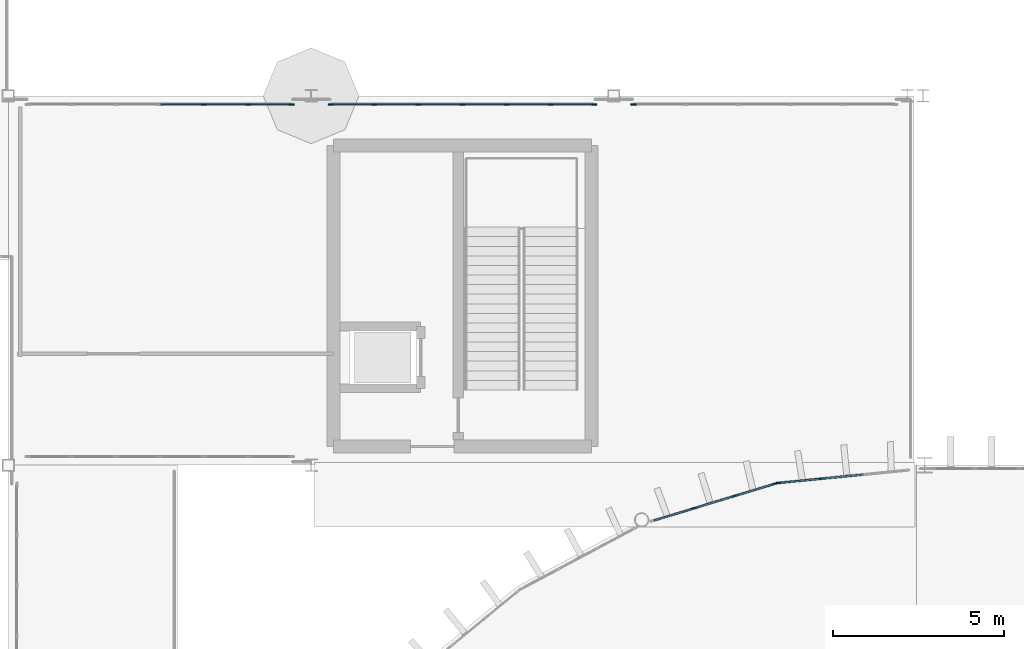
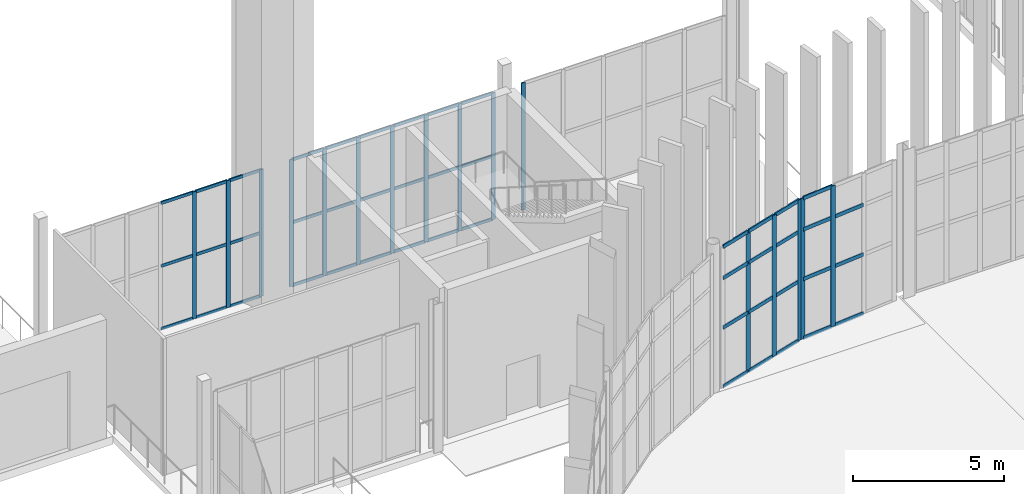
# One storey, part 46 of 139: 62 members, 5 elements without a shape of their own.
"""IFC4 building model written with IfcOpenShell, lengths in metres."""

from ifc_helpers import new_model, si_unit, direction, frame, origin, origin_2d, place, context, subcontext, project, spatial, rectangle, extrude, material, layer, layer_set, material_profile, profile_set, type_object, element, aggregate, save


model = new_model("IFC4")

# Units and contexts
model_context = context("Model", 3, precision=1e-05, world=origin(), true_north=direction((0.0, 1.0)))
body_context = subcontext(model_context, "Body", "Model", "MODEL_VIEW")
ifc_project = project(units=[si_unit("LENGTHUNIT", "METRE"), si_unit("AREAUNIT", "SQUARE_METRE"), si_unit("VOLUMEUNIT", "CUBIC_METRE"), si_unit("PLANEANGLEUNIT", "RADIAN"), si_unit("MASSUNIT", "GRAM", prefix="KILO")], contexts=[model_context])

# Site, building, storey
site_placement = place(None, origin())
site = spatial("IfcSite", under=ifc_project, at=site_placement, CompositionType="ELEMENT")
building_placement = place(site_placement, origin())
building = spatial("IfcBuilding", under=site, at=building_placement, Name="Yeouljin Market Hall", CompositionType="ELEMENT")
storey_placement = place(building_placement, origin())
storey = spatial("IfcBuildingStorey", under=building, at=storey_placement, Name="L00", CompositionType="ELEMENT", Elevation=0.0)

# Curtain wall, members
ifc_material_1 = material(Name="Thermally Broken Aluminium", Category="aluminium")
ifc_layer_1 = layer(ifc_material_1, 0.14990234375)
ifc_layer_set_1 = layer_set([ifc_layer_1], Name="Thermally Broken Aluminium")
curtain_wall_type_1 = type_object("IfcCurtainWallType", Name="CW_WingStorefront_System", PredefinedType="USERDEFINED", material=ifc_layer_set_1)
curtain_wall_1_placement = place(storey_placement, origin())
curtain_wall_1 = element("IfcCurtainWall", 1, at=curtain_wall_1_placement, inside=storey, type_object=curtain_wall_type_1, Name="Curtain wall CW-CRT-L00-01", ObjectType="CURTAIN WALL", PredefinedType="USERDEFINED")
ifc_material_2 = material(Name="Thermally Broken Aluminium", Category="aluminium")
ifc_material_profile_1 = material_profile(ifc_material_2, rectangle(XDim=0.048095703125, YDim=0.14990234375, at=origin_2d()), Name="CW-MULL-48x150")
ifc_profile_set_1 = profile_set([ifc_material_profile_1], Name="Thermally Broken Aluminium")
member_type_1 = type_object("IfcMemberType", Name="CWMullion_48x150", PredefinedType="MULLION", material=ifc_profile_set_1)
member_1_placement = place(storey_placement, frame((14.566650390625, 88.550048828125, 0.0), z_axis=(0.0, 0.0, 1.0), x_axis=(0.0, 1.0, 0.0)))
member_1 = element("IfcMember", 2, at=member_1_placement, type_object=member_type_1, Name="CW-04 mullion 5", PredefinedType="MULLION", context=body_context, shape_type="SweptSolid", body=[
    extrude(rectangle(XDim=0.048095703125, YDim=0.14990234375, at=origin_2d()), origin(), (0.0, 0.0, 1.0), 5.1201171875),
])
member_2_placement = place(storey_placement, frame((15.8583984375, 88.550048828125, 0.0), z_axis=(0.0, 0.0, 1.0), x_axis=(0.0, 1.0, 0.0)))
member_2 = element("IfcMember", 3, at=member_2_placement, type_object=member_type_1, Name="CW-04 mullion 6", PredefinedType="MULLION", context=body_context, shape_type="SweptSolid", body=[
    extrude(rectangle(XDim=0.048095703125, YDim=0.14990234375, at=origin_2d()), origin(), (0.0, 0.0, 1.0), 5.1201171875),
])
member_3_placement = place(storey_placement, frame((17.1259765625, 88.550048828125, 0.0), z_axis=(0.0, 0.0, 1.0), x_axis=(0.0, 1.0, 0.0)))
member_3 = element("IfcMember", 4, at=member_3_placement, type_object=member_type_1, Name="CW-04 mullion 7", PredefinedType="MULLION", context=body_context, shape_type="SweptSolid", body=[
    extrude(rectangle(XDim=0.048095703125, YDim=0.14990234375, at=origin_2d()), origin(), (0.0, 0.0, 1.0), 5.1201171875),
])

curtain_wall_2_placement = place(storey_placement, origin())
curtain_wall_2 = element("IfcCurtainWall", 5, at=curtain_wall_2_placement, inside=storey, type_object=curtain_wall_type_1, Name="Curtain wall CW-CRT-L00-02", ObjectType="CURTAIN WALL", PredefinedType="USERDEFINED")
member_4_placement = place(storey_placement, frame((18.27392578125, 88.550048828125, 0.0), z_axis=(0.0, 0.0, 1.0), x_axis=(0.0, 1.0, 0.0)))
member_4 = element("IfcMember", 6, at=member_4_placement, type_object=member_type_1, Name="CW-04 mullion 1", PredefinedType="MULLION", context=body_context, shape_type="SweptSolid", body=[
    extrude(rectangle(XDim=0.048095703125, YDim=0.14990234375, at=origin_2d()), origin(), (0.0, 0.0, 1.0), 5.1201171875),
])
member_5_placement = place(storey_placement, frame((19.541748046875, 88.550048828125, 0.0), z_axis=(0.0, 0.0, 1.0), x_axis=(0.0, 1.0, 0.0)))
member_5 = element("IfcMember", 7, at=member_5_placement, type_object=member_type_1, Name="CW-04 mullion 2", PredefinedType="MULLION", context=body_context, shape_type="SweptSolid", body=[
    extrude(rectangle(XDim=0.048095703125, YDim=0.14990234375, at=origin_2d()), origin(), (0.0, 0.0, 1.0), 5.1201171875),
])
member_6_placement = place(storey_placement, frame((20.833251953125, 88.550048828125, 0.0), z_axis=(0.0, 0.0, 1.0), x_axis=(0.0, 1.0, 0.0)))
member_6 = element("IfcMember", 8, at=member_6_placement, type_object=member_type_1, Name="CW-04 mullion 3", PredefinedType="MULLION", context=body_context, shape_type="SweptSolid", body=[
    extrude(rectangle(XDim=0.048095703125, YDim=0.14990234375, at=origin_2d()), origin(), (0.0, 0.0, 1.0), 5.1201171875),
])
member_7_placement = place(storey_placement, frame((22.125, 88.550048828125, 0.0), z_axis=(0.0, 0.0, 1.0), x_axis=(0.0, 1.0, 0.0)))
member_7 = element("IfcMember", 9, at=member_7_placement, type_object=member_type_1, Name="CW-04 mullion 4", PredefinedType="MULLION", context=body_context, shape_type="SweptSolid", body=[
    extrude(rectangle(XDim=0.048095703125, YDim=0.14990234375, at=origin_2d()), origin(), (0.0, 0.0, 1.0), 5.1201171875),
])
member_8_placement = place(storey_placement, frame((23.416748046875, 88.550048828125, 0.0), z_axis=(0.0, 0.0, 1.0), x_axis=(0.0, 1.0, 0.0)))
member_8 = element("IfcMember", 10, at=member_8_placement, type_object=member_type_1, Name="CW-04 mullion 5", PredefinedType="MULLION", context=body_context, shape_type="SweptSolid", body=[
    extrude(rectangle(XDim=0.048095703125, YDim=0.14990234375, at=origin_2d()), origin(), (0.0, 0.0, 1.0), 5.1201171875),
])
member_9_placement = place(storey_placement, frame((24.708251953125, 88.550048828125, 0.0), z_axis=(0.0, 0.0, 1.0), x_axis=(0.0, 1.0, 0.0)))
member_9 = element("IfcMember", 11, at=member_9_placement, type_object=member_type_1, Name="CW-04 mullion 6", PredefinedType="MULLION", context=body_context, shape_type="SweptSolid", body=[
    extrude(rectangle(XDim=0.048095703125, YDim=0.14990234375, at=origin_2d()), origin(), (0.0, 0.0, 1.0), 5.1201171875),
])
member_10_placement = place(storey_placement, frame((25.97607421875, 88.550048828125, 0.0), z_axis=(0.0, 0.0, 1.0), x_axis=(0.0, 1.0, 0.0)))
member_10 = element("IfcMember", 12, at=member_10_placement, type_object=member_type_1, Name="CW-04 mullion 7", PredefinedType="MULLION", context=body_context, shape_type="SweptSolid", body=[
    extrude(rectangle(XDim=0.048095703125, YDim=0.14990234375, at=origin_2d()), origin(), (0.0, 0.0, 1.0), 5.1201171875),
])

# Curtain wall, member
curtain_wall_3_placement = place(storey_placement, origin())
curtain_wall_3 = element("IfcCurtainWall", 13, at=curtain_wall_3_placement, inside=storey, type_object=curtain_wall_type_1, Name="Curtain wall CW-CRT-L00-03", ObjectType="CURTAIN WALL", PredefinedType="USERDEFINED")
member_11_placement = place(storey_placement, frame((27.1240234375, 88.550048828125, 0.0), z_axis=(0.0, 0.0, 1.0), x_axis=(0.0, 1.0, 0.0)))
member_11 = element("IfcMember", 14, at=member_11_placement, type_object=member_type_1, Name="CW-04 mullion 1", PredefinedType="MULLION", context=body_context, shape_type="SweptSolid", body=[
    extrude(rectangle(XDim=0.048095703125, YDim=0.14990234375, at=origin_2d()), origin(), (0.0, 0.0, 1.0), 5.1201171875),
])
aggregate(curtain_wall_3, [member_11])

# Curtain wall, members
ifc_material_3 = material(Name="Thermally Broken Aluminium", Category="aluminium")
ifc_layer_2 = layer(ifc_material_3, 0.179931640625)
ifc_layer_set_2 = layer_set([ifc_layer_2], Name="Thermally Broken Aluminium")
curtain_wall_type_2 = type_object("IfcCurtainWallType", Name="CW_ApseCurved_System", PredefinedType="USERDEFINED", material=ifc_layer_set_2)
curtain_wall_4_placement = place(storey_placement, origin())
curtain_wall_4 = element("IfcCurtainWall", 15, at=curtain_wall_4_placement, inside=storey, type_object=curtain_wall_type_2, Name="Curtain wall CW-AP-WL00-15", ObjectType="CURTAIN WALL", PredefinedType="USERDEFINED")
ifc_material_4 = material(Name="Thermally Broken Aluminium", Category="aluminium")
ifc_material_profile_2 = material_profile(ifc_material_4, rectangle(XDim=0.048095703125, YDim=0.179931640625, at=origin_2d()), Name="CW-MULL-48x180")
ifc_profile_set_2 = profile_set([ifc_material_profile_2], Name="Thermally Broken Aluminium")
member_type_2 = type_object("IfcMemberType", Name="CWMullion_48x180", PredefinedType="MULLION", material=ifc_profile_set_2)
member_12_placement = place(storey_placement, frame((28.881103515625, 76.737060546875, 0.0), z_axis=(0.0, 0.0, 1.0), x_axis=(-0.290286164863, 0.95693988447, 0.0)))
member_12 = element("IfcMember", 16, at=member_12_placement, type_object=member_type_2, Name="CW-03 mullion 2", PredefinedType="MULLION", context=body_context, shape_type="SweptSolid", body=[
    extrude(rectangle(XDim=0.048095703125, YDim=0.179931640625, at=origin_2d()), origin(), (0.0, 0.0, 1.0), 5.679931640625),
])
member_13_placement = place(storey_placement, frame((30.084716796875, 77.10205078125, 0.0), z_axis=(0.0, 0.0, 1.0), x_axis=(-0.290286164863, 0.95693988447, 0.0)))
member_13 = element("IfcMember", 17, at=member_13_placement, type_object=member_type_2, Name="CW-03 mullion 3", PredefinedType="MULLION", context=body_context, shape_type="SweptSolid", body=[
    extrude(rectangle(XDim=0.048095703125, YDim=0.179931640625, at=origin_2d()), origin(), (0.0, 0.0, 1.0), 5.679931640625),
])
member_14_placement = place(storey_placement, frame((31.26513671875, 77.460205078125, 0.0), z_axis=(0.0, 0.0, 1.0), x_axis=(-0.290286164863, 0.95693988447, 0.0)))
member_14 = element("IfcMember", 18, at=member_14_placement, type_object=member_type_2, Name="CW-03 mullion 4", PredefinedType="MULLION", context=body_context, shape_type="SweptSolid", body=[
    extrude(rectangle(XDim=0.048095703125, YDim=0.179931640625, at=origin_2d()), origin(), (0.0, 0.0, 1.0), 5.679931640625),
])

curtain_wall_5_placement = place(storey_placement, origin())
curtain_wall_5 = element("IfcCurtainWall", 19, at=curtain_wall_5_placement, inside=storey, type_object=curtain_wall_type_2, Name="Curtain wall CW-AP-WL00-16", ObjectType="CURTAIN WALL", PredefinedType="USERDEFINED")
member_15_placement = place(storey_placement, frame((31.39013671875, 77.485107421875, 0.0), z_axis=(0.0, 0.0, 1.0), x_axis=(-0.09803414403, 0.995183051807, 0.0)))
member_15 = element("IfcMember", 20, at=member_15_placement, type_object=member_type_2, Name="CW-03 mullion 1", PredefinedType="MULLION", context=body_context, shape_type="SweptSolid", body=[
    extrude(rectangle(XDim=0.048095703125, YDim=0.179931640625, at=origin_2d()), origin(), (0.0, 0.0, 1.0), 5.679931640625),
])
member_16_placement = place(storey_placement, frame((32.617919921875, 77.60595703125, 0.0), z_axis=(0.0, 0.0, 1.0), x_axis=(-0.09803414403, 0.995183051807, 0.0)))
member_16 = element("IfcMember", 21, at=member_16_placement, type_object=member_type_2, Name="CW-03 mullion 2", PredefinedType="MULLION", context=body_context, shape_type="SweptSolid", body=[
    extrude(rectangle(XDim=0.048095703125, YDim=0.179931640625, at=origin_2d()), origin(), (0.0, 0.0, 1.0), 5.679931640625),
])

# Member
ifc_material_5 = material(Name="Thermally Broken Aluminium", Category="aluminium")
ifc_material_profile_3 = material_profile(ifc_material_5, rectangle(XDim=0.048095703125, YDim=0.1201171875, at=origin_2d()), Name="CW-TRAN-48x120")
ifc_profile_set_3 = profile_set([ifc_material_profile_3], Name="Thermally Broken Aluminium")
member_type_3 = type_object("IfcMemberType", Name="CWTransom_48x120", PredefinedType="USERDEFINED", material=ifc_profile_set_3)
member_17_placement = place(storey_placement, frame((13.299072265625, 88.550048828125, 0.02392578125), z_axis=(1.0, 0.0, 0.0), x_axis=(0.0, 1.0, 0.0)))
member_17 = element("IfcMember", 22, at=member_17_placement, type_object=member_type_3, Name="CW-04 transom 4.1", ObjectType="TRANSOM", PredefinedType="USERDEFINED", context=body_context, shape_type="SweptSolid", body=[
    extrude(rectangle(XDim=0.048095703125, YDim=0.1201171875, at=origin_2d()), origin(), (0.0, 0.0, 1.0), 1.24365234375),
])

member_18_placement = place(storey_placement, frame((13.299072265625, 88.550048828125, 2.56005859375), z_axis=(1.0, 0.0, 0.0), x_axis=(0.0, 1.0, 0.0)))
member_18 = element("IfcMember", 23, at=member_18_placement, type_object=member_type_3, Name="CW-04 transom 4.2", ObjectType="TRANSOM", PredefinedType="USERDEFINED", context=body_context, shape_type="SweptSolid", body=[
    extrude(rectangle(XDim=0.048095703125, YDim=0.1201171875, at=origin_2d()), origin(), (0.0, 0.0, 1.0), 1.24365234375),
])

member_19_placement = place(storey_placement, frame((13.299072265625, 88.550048828125, 5.095947265625), z_axis=(1.0, 0.0, 0.0), x_axis=(0.0, 1.0, 0.0)))
member_19 = element("IfcMember", 24, at=member_19_placement, type_object=member_type_3, Name="CW-04 transom 4.3", ObjectType="TRANSOM", PredefinedType="USERDEFINED", context=body_context, shape_type="SweptSolid", body=[
    extrude(rectangle(XDim=0.048095703125, YDim=0.1201171875, at=origin_2d()), origin(), (0.0, 0.0, 1.0), 1.24365234375),
])

member_20_placement = place(storey_placement, frame((14.590576171875, 88.550048828125, 0.02392578125), z_axis=(1.0, 0.0, 0.0), x_axis=(0.0, 1.0, 0.0)))
member_20 = element("IfcMember", 25, at=member_20_placement, type_object=member_type_3, Name="CW-04 transom 5.1", ObjectType="TRANSOM", PredefinedType="USERDEFINED", context=body_context, shape_type="SweptSolid", body=[
    extrude(rectangle(XDim=0.048095703125, YDim=0.1201171875, at=origin_2d()), origin(), (0.0, 0.0, 1.0), 1.24365234375),
])

member_21_placement = place(storey_placement, frame((14.590576171875, 88.550048828125, 2.56005859375), z_axis=(1.0, 0.0, 0.0), x_axis=(0.0, 1.0, 0.0)))
member_21 = element("IfcMember", 26, at=member_21_placement, type_object=member_type_3, Name="CW-04 transom 5.2", ObjectType="TRANSOM", PredefinedType="USERDEFINED", context=body_context, shape_type="SweptSolid", body=[
    extrude(rectangle(XDim=0.048095703125, YDim=0.1201171875, at=origin_2d()), origin(), (0.0, 0.0, 1.0), 1.24365234375),
])

member_22_placement = place(storey_placement, frame((14.590576171875, 88.550048828125, 5.095947265625), z_axis=(1.0, 0.0, 0.0), x_axis=(0.0, 1.0, 0.0)))
member_22 = element("IfcMember", 27, at=member_22_placement, type_object=member_type_3, Name="CW-04 transom 5.3", ObjectType="TRANSOM", PredefinedType="USERDEFINED", context=body_context, shape_type="SweptSolid", body=[
    extrude(rectangle(XDim=0.048095703125, YDim=0.1201171875, at=origin_2d()), origin(), (0.0, 0.0, 1.0), 1.24365234375),
])

member_23_placement = place(storey_placement, frame((15.88232421875, 88.550048828125, 0.02392578125), z_axis=(1.0, 0.0, 0.0), x_axis=(0.0, 1.0, 0.0)))
member_23 = element("IfcMember", 28, at=member_23_placement, type_object=member_type_3, Name="CW-04 transom 6.1", ObjectType="TRANSOM", PredefinedType="USERDEFINED", context=body_context, shape_type="SweptSolid", body=[
    extrude(rectangle(XDim=0.048095703125, YDim=0.1201171875, at=origin_2d()), origin(), (0.0, 0.0, 1.0), 1.2197265625),
])

member_24_placement = place(storey_placement, frame((15.88232421875, 88.550048828125, 2.56005859375), z_axis=(1.0, 0.0, 0.0), x_axis=(0.0, 1.0, 0.0)))
member_24 = element("IfcMember", 29, at=member_24_placement, type_object=member_type_3, Name="CW-04 transom 6.2", ObjectType="TRANSOM", PredefinedType="USERDEFINED", context=body_context, shape_type="SweptSolid", body=[
    extrude(rectangle(XDim=0.048095703125, YDim=0.1201171875, at=origin_2d()), origin(), (0.0, 0.0, 1.0), 1.2197265625),
])

member_25_placement = place(storey_placement, frame((15.88232421875, 88.550048828125, 5.095947265625), z_axis=(1.0, 0.0, 0.0), x_axis=(0.0, 1.0, 0.0)))
member_25 = element("IfcMember", 30, at=member_25_placement, type_object=member_type_3, Name="CW-04 transom 6.3", ObjectType="TRANSOM", PredefinedType="USERDEFINED", context=body_context, shape_type="SweptSolid", body=[
    extrude(rectangle(XDim=0.048095703125, YDim=0.1201171875, at=origin_2d()), origin(), (0.0, 0.0, 1.0), 1.2197265625),
])

aggregate(curtain_wall_1, [member_1, member_2, member_3, member_17, member_18, member_19, member_20, member_21, member_22, member_23, member_24, member_25])

member_26_placement = place(storey_placement, frame((18.298095703125, 88.550048828125, 0.02392578125), z_axis=(1.0, 0.0, 0.0), x_axis=(0.0, 1.0, 0.0)))
member_26 = element("IfcMember", 31, at=member_26_placement, type_object=member_type_3, Name="CW-04 transom 1.1", ObjectType="TRANSOM", PredefinedType="USERDEFINED", context=body_context, shape_type="SweptSolid", body=[
    extrude(rectangle(XDim=0.048095703125, YDim=0.1201171875, at=origin_2d()), origin(), (0.0, 0.0, 1.0), 1.219482421875),
])

member_27_placement = place(storey_placement, frame((18.298095703125, 88.550048828125, 2.56005859375), z_axis=(1.0, 0.0, 0.0), x_axis=(0.0, 1.0, 0.0)))
member_27 = element("IfcMember", 32, at=member_27_placement, type_object=member_type_3, Name="CW-04 transom 1.2", ObjectType="TRANSOM", PredefinedType="USERDEFINED", context=body_context, shape_type="SweptSolid", body=[
    extrude(rectangle(XDim=0.048095703125, YDim=0.1201171875, at=origin_2d()), origin(), (0.0, 0.0, 1.0), 1.219482421875),
])

member_28_placement = place(storey_placement, frame((18.298095703125, 88.550048828125, 5.095947265625), z_axis=(1.0, 0.0, 0.0), x_axis=(0.0, 1.0, 0.0)))
member_28 = element("IfcMember", 33, at=member_28_placement, type_object=member_type_3, Name="CW-04 transom 1.3", ObjectType="TRANSOM", PredefinedType="USERDEFINED", context=body_context, shape_type="SweptSolid", body=[
    extrude(rectangle(XDim=0.048095703125, YDim=0.1201171875, at=origin_2d()), origin(), (0.0, 0.0, 1.0), 1.219482421875),
])

member_29_placement = place(storey_placement, frame((19.565673828125, 88.550048828125, 0.02392578125), z_axis=(1.0, 0.0, 0.0), x_axis=(0.0, 1.0, 0.0)))
member_29 = element("IfcMember", 34, at=member_29_placement, type_object=member_type_3, Name="CW-04 transom 2.1", ObjectType="TRANSOM", PredefinedType="USERDEFINED", context=body_context, shape_type="SweptSolid", body=[
    extrude(rectangle(XDim=0.048095703125, YDim=0.1201171875, at=origin_2d()), origin(), (0.0, 0.0, 1.0), 1.24365234375),
])

member_30_placement = place(storey_placement, frame((19.565673828125, 88.550048828125, 2.56005859375), z_axis=(1.0, 0.0, 0.0), x_axis=(0.0, 1.0, 0.0)))
member_30 = element("IfcMember", 35, at=member_30_placement, type_object=member_type_3, Name="CW-04 transom 2.2", ObjectType="TRANSOM", PredefinedType="USERDEFINED", context=body_context, shape_type="SweptSolid", body=[
    extrude(rectangle(XDim=0.048095703125, YDim=0.1201171875, at=origin_2d()), origin(), (0.0, 0.0, 1.0), 1.24365234375),
])

member_31_placement = place(storey_placement, frame((19.565673828125, 88.550048828125, 5.095947265625), z_axis=(1.0, 0.0, 0.0), x_axis=(0.0, 1.0, 0.0)))
member_31 = element("IfcMember", 36, at=member_31_placement, type_object=member_type_3, Name="CW-04 transom 2.3", ObjectType="TRANSOM", PredefinedType="USERDEFINED", context=body_context, shape_type="SweptSolid", body=[
    extrude(rectangle(XDim=0.048095703125, YDim=0.1201171875, at=origin_2d()), origin(), (0.0, 0.0, 1.0), 1.24365234375),
])

member_32_placement = place(storey_placement, frame((20.857421875, 88.550048828125, 0.02392578125), z_axis=(1.0, 0.0, 0.0), x_axis=(0.0, 1.0, 0.0)))
member_32 = element("IfcMember", 37, at=member_32_placement, type_object=member_type_3, Name="CW-04 transom 3.1", ObjectType="TRANSOM", PredefinedType="USERDEFINED", context=body_context, shape_type="SweptSolid", body=[
    extrude(rectangle(XDim=0.048095703125, YDim=0.1201171875, at=origin_2d()), origin(), (0.0, 0.0, 1.0), 1.24365234375),
])

member_33_placement = place(storey_placement, frame((20.857421875, 88.550048828125, 2.56005859375), z_axis=(1.0, 0.0, 0.0), x_axis=(0.0, 1.0, 0.0)))
member_33 = element("IfcMember", 38, at=member_33_placement, type_object=member_type_3, Name="CW-04 transom 3.2", ObjectType="TRANSOM", PredefinedType="USERDEFINED", context=body_context, shape_type="SweptSolid", body=[
    extrude(rectangle(XDim=0.048095703125, YDim=0.1201171875, at=origin_2d()), origin(), (0.0, 0.0, 1.0), 1.24365234375),
])

member_34_placement = place(storey_placement, frame((20.857421875, 88.550048828125, 5.095947265625), z_axis=(1.0, 0.0, 0.0), x_axis=(0.0, 1.0, 0.0)))
member_34 = element("IfcMember", 39, at=member_34_placement, type_object=member_type_3, Name="CW-04 transom 3.3", ObjectType="TRANSOM", PredefinedType="USERDEFINED", context=body_context, shape_type="SweptSolid", body=[
    extrude(rectangle(XDim=0.048095703125, YDim=0.1201171875, at=origin_2d()), origin(), (0.0, 0.0, 1.0), 1.24365234375),
])

member_35_placement = place(storey_placement, frame((22.14892578125, 88.550048828125, 0.02392578125), z_axis=(1.0, 0.0, 0.0), x_axis=(0.0, 1.0, 0.0)))
member_35 = element("IfcMember", 40, at=member_35_placement, type_object=member_type_3, Name="CW-04 transom 4.1", ObjectType="TRANSOM", PredefinedType="USERDEFINED", context=body_context, shape_type="SweptSolid", body=[
    extrude(rectangle(XDim=0.048095703125, YDim=0.1201171875, at=origin_2d()), origin(), (0.0, 0.0, 1.0), 1.24365234375),
])

member_36_placement = place(storey_placement, frame((22.14892578125, 88.550048828125, 2.56005859375), z_axis=(1.0, 0.0, 0.0), x_axis=(0.0, 1.0, 0.0)))
member_36 = element("IfcMember", 41, at=member_36_placement, type_object=member_type_3, Name="CW-04 transom 4.2", ObjectType="TRANSOM", PredefinedType="USERDEFINED", context=body_context, shape_type="SweptSolid", body=[
    extrude(rectangle(XDim=0.048095703125, YDim=0.1201171875, at=origin_2d()), origin(), (0.0, 0.0, 1.0), 1.24365234375),
])

member_37_placement = place(storey_placement, frame((22.14892578125, 88.550048828125, 5.095947265625), z_axis=(1.0, 0.0, 0.0), x_axis=(0.0, 1.0, 0.0)))
member_37 = element("IfcMember", 42, at=member_37_placement, type_object=member_type_3, Name="CW-04 transom 4.3", ObjectType="TRANSOM", PredefinedType="USERDEFINED", context=body_context, shape_type="SweptSolid", body=[
    extrude(rectangle(XDim=0.048095703125, YDim=0.1201171875, at=origin_2d()), origin(), (0.0, 0.0, 1.0), 1.24365234375),
])

member_38_placement = place(storey_placement, frame((23.440673828125, 88.550048828125, 0.02392578125), z_axis=(1.0, 0.0, 0.0), x_axis=(0.0, 1.0, 0.0)))
member_38 = element("IfcMember", 43, at=member_38_placement, type_object=member_type_3, Name="CW-04 transom 5.1", ObjectType="TRANSOM", PredefinedType="USERDEFINED", context=body_context, shape_type="SweptSolid", body=[
    extrude(rectangle(XDim=0.048095703125, YDim=0.1201171875, at=origin_2d()), origin(), (0.0, 0.0, 1.0), 1.24365234375),
])

member_39_placement = place(storey_placement, frame((23.440673828125, 88.550048828125, 2.56005859375), z_axis=(1.0, 0.0, 0.0), x_axis=(0.0, 1.0, 0.0)))
member_39 = element("IfcMember", 44, at=member_39_placement, type_object=member_type_3, Name="CW-04 transom 5.2", ObjectType="TRANSOM", PredefinedType="USERDEFINED", context=body_context, shape_type="SweptSolid", body=[
    extrude(rectangle(XDim=0.048095703125, YDim=0.1201171875, at=origin_2d()), origin(), (0.0, 0.0, 1.0), 1.24365234375),
])

member_40_placement = place(storey_placement, frame((23.440673828125, 88.550048828125, 5.095947265625), z_axis=(1.0, 0.0, 0.0), x_axis=(0.0, 1.0, 0.0)))
member_40 = element("IfcMember", 45, at=member_40_placement, type_object=member_type_3, Name="CW-04 transom 5.3", ObjectType="TRANSOM", PredefinedType="USERDEFINED", context=body_context, shape_type="SweptSolid", body=[
    extrude(rectangle(XDim=0.048095703125, YDim=0.1201171875, at=origin_2d()), origin(), (0.0, 0.0, 1.0), 1.24365234375),
])

member_41_placement = place(storey_placement, frame((24.732421875, 88.550048828125, 0.02392578125), z_axis=(1.0, 0.0, 0.0), x_axis=(0.0, 1.0, 0.0)))
member_41 = element("IfcMember", 46, at=member_41_placement, type_object=member_type_3, Name="CW-04 transom 6.1", ObjectType="TRANSOM", PredefinedType="USERDEFINED", context=body_context, shape_type="SweptSolid", body=[
    extrude(rectangle(XDim=0.048095703125, YDim=0.1201171875, at=origin_2d()), origin(), (0.0, 0.0, 1.0), 1.219482421875),
])

member_42_placement = place(storey_placement, frame((24.732421875, 88.550048828125, 2.56005859375), z_axis=(1.0, 0.0, 0.0), x_axis=(0.0, 1.0, 0.0)))
member_42 = element("IfcMember", 47, at=member_42_placement, type_object=member_type_3, Name="CW-04 transom 6.2", ObjectType="TRANSOM", PredefinedType="USERDEFINED", context=body_context, shape_type="SweptSolid", body=[
    extrude(rectangle(XDim=0.048095703125, YDim=0.1201171875, at=origin_2d()), origin(), (0.0, 0.0, 1.0), 1.219482421875),
])

member_43_placement = place(storey_placement, frame((24.732421875, 88.550048828125, 5.095947265625), z_axis=(1.0, 0.0, 0.0), x_axis=(0.0, 1.0, 0.0)))
member_43 = element("IfcMember", 48, at=member_43_placement, type_object=member_type_3, Name="CW-04 transom 6.3", ObjectType="TRANSOM", PredefinedType="USERDEFINED", context=body_context, shape_type="SweptSolid", body=[
    extrude(rectangle(XDim=0.048095703125, YDim=0.1201171875, at=origin_2d()), origin(), (0.0, 0.0, 1.0), 1.219482421875),
])

aggregate(curtain_wall_2, [member_4, member_5, member_6, member_7, member_8, member_9, member_10, member_26, member_27, member_28, member_29, member_30, member_31, member_32, member_33, member_34, member_35, member_36, member_37, member_38, member_39, member_40, member_41, member_42, member_43])

ifc_material_6 = material(Name="Thermally Broken Aluminium", Category="aluminium")
ifc_material_profile_4 = material_profile(ifc_material_6, rectangle(XDim=0.048095703125, YDim=0.14990234375, at=origin_2d()), Name="CW-TRAN-48x150")
ifc_profile_set_4 = profile_set([ifc_material_profile_4], Name="Thermally Broken Aluminium")
member_type_4 = type_object("IfcMemberType", Name="CWTransom_48x150", PredefinedType="USERDEFINED", material=ifc_profile_set_4)
member_44_placement = place(storey_placement, frame((27.723388671875, 76.3857421875, 0.02392578125), z_axis=(0.956937784149, 0.290293088565, 0.0), x_axis=(-0.290293088565, 0.956937784149, 0.0)))
member_44 = element("IfcMember", 49, at=member_44_placement, type_object=member_type_4, Name="CW-03 transom 1.1", ObjectType="TRANSOM", PredefinedType="USERDEFINED", context=body_context, shape_type="SweptSolid", body=[
    extrude(rectangle(XDim=0.048095703125, YDim=0.14990234375, at=origin_2d()), origin(), (0.0, 0.0, 1.0), 1.185791015625),
])

member_45_placement = place(storey_placement, frame((27.723388671875, 76.3857421875, 2.39990234375), z_axis=(0.956937784149, 0.290293088565, 0.0), x_axis=(-0.290293088565, 0.956937784149, 0.0)))
member_45 = element("IfcMember", 50, at=member_45_placement, type_object=member_type_4, Name="CW-03 transom 1.2", ObjectType="TRANSOM", PredefinedType="USERDEFINED", context=body_context, shape_type="SweptSolid", body=[
    extrude(rectangle(XDim=0.048095703125, YDim=0.14990234375, at=origin_2d()), origin(), (0.0, 0.0, 1.0), 1.185791015625),
])

member_46_placement = place(storey_placement, frame((27.723388671875, 76.3857421875, 4.39990234375), z_axis=(0.956937784149, 0.290293088565, 0.0), x_axis=(-0.290293088565, 0.956937784149, 0.0)))
member_46 = element("IfcMember", 51, at=member_46_placement, type_object=member_type_4, Name="CW-03 transom 1.3", ObjectType="TRANSOM", PredefinedType="USERDEFINED", context=body_context, shape_type="SweptSolid", body=[
    extrude(rectangle(XDim=0.048095703125, YDim=0.14990234375, at=origin_2d()), origin(), (0.0, 0.0, 1.0), 1.185791015625),
])

member_47_placement = place(storey_placement, frame((27.723388671875, 76.3857421875, 5.656005859375), z_axis=(0.956937784149, 0.290293088565, 0.0), x_axis=(-0.290293088565, 0.956937784149, 0.0)))
member_47 = element("IfcMember", 52, at=member_47_placement, type_object=member_type_4, Name="CW-03 transom 1.4", ObjectType="TRANSOM", PredefinedType="USERDEFINED", context=body_context, shape_type="SweptSolid", body=[
    extrude(rectangle(XDim=0.048095703125, YDim=0.14990234375, at=origin_2d()), origin(), (0.0, 0.0, 1.0), 1.185791015625),
])

member_48_placement = place(storey_placement, frame((28.904052734375, 76.743896484375, 0.02392578125), z_axis=(0.95691061979, 0.290382619544, 0.0), x_axis=(-0.290382619544, 0.95691061979, 0.0)))
member_48 = element("IfcMember", 53, at=member_48_placement, type_object=member_type_4, Name="CW-03 transom 2.1", ObjectType="TRANSOM", PredefinedType="USERDEFINED", context=body_context, shape_type="SweptSolid", body=[
    extrude(rectangle(XDim=0.048095703125, YDim=0.14990234375, at=origin_2d()), origin(), (0.0, 0.0, 1.0), 1.2099609375),
])

member_49_placement = place(storey_placement, frame((28.904052734375, 76.743896484375, 2.39990234375), z_axis=(0.95691061979, 0.290382619544, 0.0), x_axis=(-0.290382619544, 0.95691061979, 0.0)))
member_49 = element("IfcMember", 54, at=member_49_placement, type_object=member_type_4, Name="CW-03 transom 2.2", ObjectType="TRANSOM", PredefinedType="USERDEFINED", context=body_context, shape_type="SweptSolid", body=[
    extrude(rectangle(XDim=0.048095703125, YDim=0.14990234375, at=origin_2d()), origin(), (0.0, 0.0, 1.0), 1.2099609375),
])

member_50_placement = place(storey_placement, frame((28.904052734375, 76.743896484375, 4.39990234375), z_axis=(0.95691061979, 0.290382619544, 0.0), x_axis=(-0.290382619544, 0.95691061979, 0.0)))
member_50 = element("IfcMember", 55, at=member_50_placement, type_object=member_type_4, Name="CW-03 transom 2.3", ObjectType="TRANSOM", PredefinedType="USERDEFINED", context=body_context, shape_type="SweptSolid", body=[
    extrude(rectangle(XDim=0.048095703125, YDim=0.14990234375, at=origin_2d()), origin(), (0.0, 0.0, 1.0), 1.2099609375),
])

member_51_placement = place(storey_placement, frame((28.904052734375, 76.743896484375, 5.656005859375), z_axis=(0.95691061979, 0.290382619544, 0.0), x_axis=(-0.290382619544, 0.95691061979, 0.0)))
member_51 = element("IfcMember", 56, at=member_51_placement, type_object=member_type_4, Name="CW-03 transom 2.4", ObjectType="TRANSOM", PredefinedType="USERDEFINED", context=body_context, shape_type="SweptSolid", body=[
    extrude(rectangle(XDim=0.048095703125, YDim=0.14990234375, at=origin_2d()), origin(), (0.0, 0.0, 1.0), 1.2099609375),
])

member_52_placement = place(storey_placement, frame((30.107666015625, 77.109130859375, 0.02392578125), z_axis=(0.95692042936, 0.290350291671, 0.0), x_axis=(-0.290350291671, 0.95692042936, 0.0)))
member_52 = element("IfcMember", 57, at=member_52_placement, type_object=member_type_4, Name="CW-03 transom 3.1", ObjectType="TRANSOM", PredefinedType="USERDEFINED", context=body_context, shape_type="SweptSolid", body=[
    extrude(rectangle(XDim=0.048095703125, YDim=0.14990234375, at=origin_2d()), origin(), (0.0, 0.0, 1.0), 1.185546875),
])

member_53_placement = place(storey_placement, frame((30.107666015625, 77.109130859375, 2.39990234375), z_axis=(0.95692042936, 0.290350291671, 0.0), x_axis=(-0.290350291671, 0.95692042936, 0.0)))
member_53 = element("IfcMember", 58, at=member_53_placement, type_object=member_type_4, Name="CW-03 transom 3.2", ObjectType="TRANSOM", PredefinedType="USERDEFINED", context=body_context, shape_type="SweptSolid", body=[
    extrude(rectangle(XDim=0.048095703125, YDim=0.14990234375, at=origin_2d()), origin(), (0.0, 0.0, 1.0), 1.185546875),
])

member_54_placement = place(storey_placement, frame((30.107666015625, 77.109130859375, 4.39990234375), z_axis=(0.95692042936, 0.290350291671, 0.0), x_axis=(-0.290350291671, 0.95692042936, 0.0)))
member_54 = element("IfcMember", 59, at=member_54_placement, type_object=member_type_4, Name="CW-03 transom 3.3", ObjectType="TRANSOM", PredefinedType="USERDEFINED", context=body_context, shape_type="SweptSolid", body=[
    extrude(rectangle(XDim=0.048095703125, YDim=0.14990234375, at=origin_2d()), origin(), (0.0, 0.0, 1.0), 1.185546875),
])

member_55_placement = place(storey_placement, frame((30.107666015625, 77.109130859375, 5.656005859375), z_axis=(0.95692042936, 0.290350291671, 0.0), x_axis=(-0.290350291671, 0.95692042936, 0.0)))
member_55 = element("IfcMember", 60, at=member_55_placement, type_object=member_type_4, Name="CW-03 transom 3.4", ObjectType="TRANSOM", PredefinedType="USERDEFINED", context=body_context, shape_type="SweptSolid", body=[
    extrude(rectangle(XDim=0.048095703125, YDim=0.14990234375, at=origin_2d()), origin(), (0.0, 0.0, 1.0), 1.185546875),
])

aggregate(curtain_wall_4, [member_12, member_13, member_14, member_44, member_45, member_46, member_47, member_48, member_49, member_50, member_51, member_52, member_53, member_54, member_55])

member_56_placement = place(storey_placement, frame((31.4140625, 77.4873046875, 0.02392578125), z_axis=(0.995164800405, 0.098219244733, 0.0), x_axis=(-0.098219244733, 0.995164800405, 0.0)))
member_56 = element("IfcMember", 61, at=member_56_placement, type_object=member_type_4, Name="CW-03 transom 1.1", ObjectType="TRANSOM", PredefinedType="USERDEFINED", context=body_context, shape_type="SweptSolid", body=[
    extrude(rectangle(XDim=0.048095703125, YDim=0.14990234375, at=origin_2d()), origin(), (0.0, 0.0, 1.0), 1.185546875),
])

member_57_placement = place(storey_placement, frame((31.4140625, 77.4873046875, 2.39990234375), z_axis=(0.995164800405, 0.098219244733, 0.0), x_axis=(-0.098219244733, 0.995164800405, 0.0)))
member_57 = element("IfcMember", 62, at=member_57_placement, type_object=member_type_4, Name="CW-03 transom 1.2", ObjectType="TRANSOM", PredefinedType="USERDEFINED", context=body_context, shape_type="SweptSolid", body=[
    extrude(rectangle(XDim=0.048095703125, YDim=0.14990234375, at=origin_2d()), origin(), (0.0, 0.0, 1.0), 1.185546875),
])

member_58_placement = place(storey_placement, frame((31.4140625, 77.4873046875, 4.39990234375), z_axis=(0.995164800405, 0.098219244733, 0.0), x_axis=(-0.098219244733, 0.995164800405, 0.0)))
member_58 = element("IfcMember", 63, at=member_58_placement, type_object=member_type_4, Name="CW-03 transom 1.3", ObjectType="TRANSOM", PredefinedType="USERDEFINED", context=body_context, shape_type="SweptSolid", body=[
    extrude(rectangle(XDim=0.048095703125, YDim=0.14990234375, at=origin_2d()), origin(), (0.0, 0.0, 1.0), 1.185546875),
])

member_59_placement = place(storey_placement, frame((31.4140625, 77.4873046875, 5.656005859375), z_axis=(0.995164800405, 0.098219244733, 0.0), x_axis=(-0.098219244733, 0.995164800405, 0.0)))
member_59 = element("IfcMember", 64, at=member_59_placement, type_object=member_type_4, Name="CW-03 transom 1.4", ObjectType="TRANSOM", PredefinedType="USERDEFINED", context=body_context, shape_type="SweptSolid", body=[
    extrude(rectangle(XDim=0.048095703125, YDim=0.14990234375, at=origin_2d()), origin(), (0.0, 0.0, 1.0), 1.185546875),
])

member_60_placement = place(storey_placement, frame((32.641845703125, 77.6083984375, 0.02392578125), z_axis=(0.995178052762, 0.098084878045, 0.0), x_axis=(-0.098084878045, 0.995178052762, 0.0)))
member_60 = element("IfcMember", 65, at=member_60_placement, type_object=member_type_4, Name="CW-03 transom 2.1", ObjectType="TRANSOM", PredefinedType="USERDEFINED", context=body_context, shape_type="SweptSolid", body=[
    extrude(rectangle(XDim=0.048095703125, YDim=0.14990234375, at=origin_2d()), origin(), (0.0, 0.0, 1.0), 1.209716796875),
])

member_61_placement = place(storey_placement, frame((32.641845703125, 77.6083984375, 2.39990234375), z_axis=(0.995178052762, 0.098084878045, 0.0), x_axis=(-0.098084878045, 0.995178052762, 0.0)))
member_61 = element("IfcMember", 66, at=member_61_placement, type_object=member_type_4, Name="CW-03 transom 2.2", ObjectType="TRANSOM", PredefinedType="USERDEFINED", context=body_context, shape_type="SweptSolid", body=[
    extrude(rectangle(XDim=0.048095703125, YDim=0.14990234375, at=origin_2d()), origin(), (0.0, 0.0, 1.0), 1.209716796875),
])

member_62_placement = place(storey_placement, frame((32.641845703125, 77.6083984375, 4.39990234375), z_axis=(0.995178052762, 0.098084878045, 0.0), x_axis=(-0.098084878045, 0.995178052762, 0.0)))
member_62 = element("IfcMember", 67, at=member_62_placement, type_object=member_type_4, Name="CW-03 transom 2.3", ObjectType="TRANSOM", PredefinedType="USERDEFINED", context=body_context, shape_type="SweptSolid", body=[
    extrude(rectangle(XDim=0.048095703125, YDim=0.14990234375, at=origin_2d()), origin(), (0.0, 0.0, 1.0), 1.209716796875),
])

aggregate(curtain_wall_5, [member_15, member_16, member_56, member_57, member_58, member_59, member_60, member_61, member_62])

save(model, "model.ifc")
